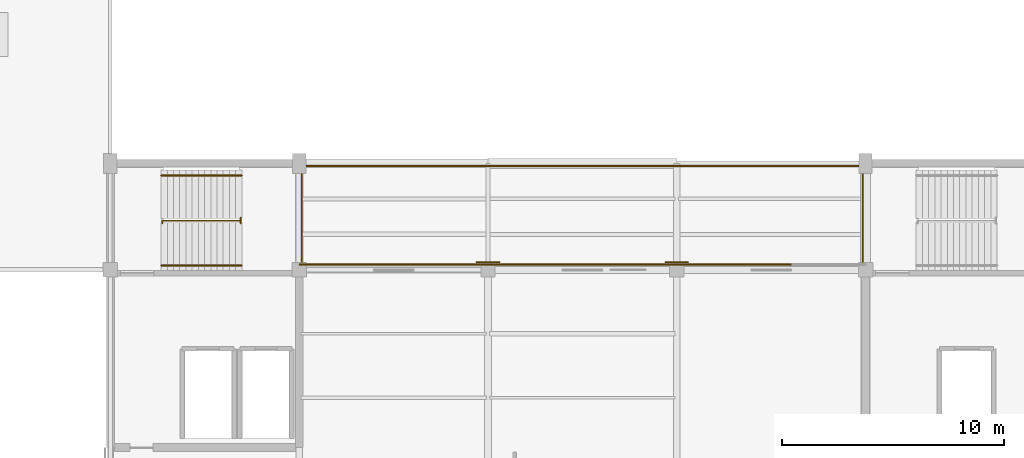
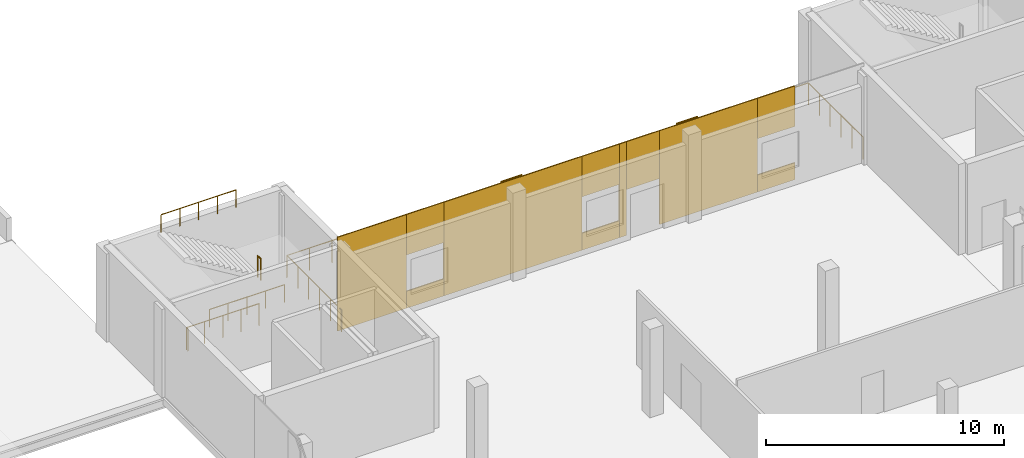
# One storey, part 60 of 66: 13 coverings, 5 railings.
"""IFC4 building model written with IfcOpenShell, lengths in metres."""

from ifc_helpers import new_model, si_unit, direction, frame, origin, origin_2d, place, context, subcontext, project, spatial, rectangle, circle, extrude, material, layer, layer_set, type_object, element, save


model = new_model("IFC4")

# Units and contexts
model_context = context("Model", 3, precision=1e-05, world=origin(), true_north=direction((0.0, 1.0)))
body_context = subcontext(model_context, "Body", "Model", "MODEL_VIEW")
ifc_project = project(units=[si_unit("LENGTHUNIT", "METRE"), si_unit("AREAUNIT", "SQUARE_METRE"), si_unit("VOLUMEUNIT", "CUBIC_METRE"), si_unit("PLANEANGLEUNIT", "RADIAN"), si_unit("MASSUNIT", "GRAM", prefix="KILO")], contexts=[model_context])

# Site, building, storey
site_placement = place(None, origin())
site = spatial("IfcSite", under=ifc_project, at=site_placement, CompositionType="ELEMENT")
building_placement = place(site_placement, origin())
building = spatial("IfcBuilding", under=site, at=building_placement, Name="Solvikara Media Centre", CompositionType="ELEMENT")
storey_placement = place(building_placement, frame((0.0, 0.0, 19.800048828125)))
storey = spatial("IfcBuildingStorey", under=building, at=storey_placement, Name="L04", CompositionType="ELEMENT", Elevation=19.800048828125)

# Coverings
ifc_material_1 = material(Name="GFRC white mineral architectural rainscreen panel")
ifc_layer = layer(ifc_material_1, 0.050048828125)
ifc_layer_set = layer_set([ifc_layer], Name="GFRC white mineral architectural rainscreen panel")
covering_type = type_object("IfcCoveringType", Name="CV-04", PredefinedType="CLADDING", material=ifc_layer_set)
for number, where, z_axis, x_axis, name in (
    (1, (51.0, 32.35009765625, 0.0), (0.0, 0.0, 1.0), (-1.0, 0.0, 0.0), "PIL-L04-121"),
    (2, (59.5, 32.35009765625, 0.0), (0.0, 0.0, 1.0), (-1.0, 0.0, 0.0), "PIL-L04-133"),
):
    element("IfcCovering", number, at=place(storey_placement, frame(where, z_axis=z_axis, x_axis=x_axis)), inside=storey, type_object=covering_type, Name=name, PredefinedType="CLADDING", context=body_context, shape_type="SweptSolid", body=[
        extrude(rectangle(XDim=1.0400390625, YDim=0.050048828125, at=origin_2d()), origin(), (0.0, 0.0, 1.0), 4.800048828125),
    ])
covering_1_placement = place(storey_placement, frame((44.175048828125, 32.2451171875, 0.0), z_axis=(0.0, 0.0, 1.0), x_axis=(1.0, 0.0, 0.0)))
element("IfcCovering", 3, at=covering_1_placement, inside=storey, type_object=covering_type, Name="L04-V6N-CV-F01", PredefinedType="CLADDING", context=body_context, shape_type="SweptSolid", body=[
    extrude(rectangle(XDim=3.35009765625, YDim=0.050048828125, at=origin_2d()), origin(), (0.0, 0.0, 1.0), 4.800048828125),
])
covering_2_placement = place(storey_placement, frame((46.75, 32.2451171875, 0.0), z_axis=(0.0, 0.0, 1.0), x_axis=(1.0, 0.0, 0.0)))
element("IfcCovering", 4, at=covering_2_placement, inside=storey, type_object=covering_type, Name="L04-V6N-CV-S02", PredefinedType="CLADDING", context=body_context, shape_type="SweptSolid", body=[
    extrude(rectangle(XDim=1.800048828125, YDim=0.050048828125, at=origin_2d()), origin(), (0.0, 0.0, 1.0), 0.8701171875),
])
covering_3_placement = place(storey_placement, frame((46.75, 32.2451171875, 2.72998046875), z_axis=(0.0, 0.0, 1.0), x_axis=(1.0, 0.0, 0.0)))
element("IfcCovering", 5, at=covering_3_placement, inside=storey, type_object=covering_type, Name="L04-V6N-CV-H02", PredefinedType="CLADDING", context=body_context, shape_type="SweptSolid", body=[
    extrude(rectangle(XDim=1.800048828125, YDim=0.050048828125, at=origin_2d()), origin(), (0.0, 0.0, 1.0), 2.070068359375),
])
covering_4_placement = place(storey_placement, frame((51.0, 32.2451171875, 0.0), z_axis=(0.0, 0.0, 1.0), x_axis=(1.0, 0.0, 0.0)))
element("IfcCovering", 6, at=covering_4_placement, inside=storey, type_object=covering_type, Name="L04-V6N-CV-F03", PredefinedType="CLADDING", context=body_context, shape_type="SweptSolid", body=[
    extrude(rectangle(XDim=6.699951171875, YDim=0.050048828125, at=origin_2d()), origin(), (0.0, 0.0, 1.0), 4.800048828125),
])
covering_5_placement = place(storey_placement, frame((55.25, 32.2451171875, 0.0), z_axis=(0.0, 0.0, 1.0), x_axis=(1.0, 0.0, 0.0)))
element("IfcCovering", 7, at=covering_5_placement, inside=storey, type_object=covering_type, Name="L04-V6N-CV-S04", PredefinedType="CLADDING", context=body_context, shape_type="SweptSolid", body=[
    extrude(rectangle(XDim=1.800048828125, YDim=0.050048828125, at=origin_2d()), origin(), (0.0, 0.0, 1.0), 0.8701171875),
])
covering_6_placement = place(storey_placement, frame((55.25, 32.2451171875, 2.72998046875), z_axis=(0.0, 0.0, 1.0), x_axis=(1.0, 0.0, 0.0)))
element("IfcCovering", 8, at=covering_6_placement, inside=storey, type_object=covering_type, Name="L04-V6N-CV-H04", PredefinedType="CLADDING", context=body_context, shape_type="SweptSolid", body=[
    extrude(rectangle(XDim=1.800048828125, YDim=0.050048828125, at=origin_2d()), origin(), (0.0, 0.0, 1.0), 2.070068359375),
])
covering_7_placement = place(storey_placement, frame((56.324951171875, 32.2451171875, 0.0), z_axis=(0.0, 0.0, 1.0), x_axis=(1.0, 0.0, 0.0)))
element("IfcCovering", 9, at=covering_7_placement, inside=storey, type_object=covering_type, Name="L04-V6N-CV-F05", PredefinedType="CLADDING", context=body_context, shape_type="SweptSolid", body=[
    extrude(rectangle(XDim=0.35009765625, YDim=0.050048828125, at=origin_2d()), origin(), (0.0, 0.0, 1.0), 4.800048828125),
])
covering_8_placement = place(storey_placement, frame((57.300048828125, 32.2451171875, 2.35009765625), z_axis=(0.0, 0.0, 1.0), x_axis=(1.0, 0.0, 0.0)))
element("IfcCovering", 10, at=covering_8_placement, inside=storey, type_object=covering_type, Name="L04-V6N-CV-D06", PredefinedType="CLADDING", context=body_context, shape_type="SweptSolid", body=[
    extrude(rectangle(XDim=1.60009765625, YDim=0.050048828125, at=origin_2d()), origin(), (0.0, 0.0, 1.0), 2.449951171875),
])
covering_9_placement = place(storey_placement, frame((60.47509765625, 32.2451171875, 0.0), z_axis=(0.0, 0.0, 1.0), x_axis=(1.0, 0.0, 0.0)))
element("IfcCovering", 11, at=covering_9_placement, inside=storey, type_object=covering_type, Name="L04-V6N-CV-F07", PredefinedType="CLADDING", context=body_context, shape_type="SweptSolid", body=[
    extrude(rectangle(XDim=4.75, YDim=0.050048828125, at=origin_2d()), origin(), (0.0, 0.0, 1.0), 4.800048828125),
])
covering_10_placement = place(storey_placement, frame((63.75, 32.2451171875, 0.0), z_axis=(0.0, 0.0, 1.0), x_axis=(1.0, 0.0, 0.0)))
element("IfcCovering", 12, at=covering_10_placement, inside=storey, type_object=covering_type, Name="L04-V6N-CV-S08", PredefinedType="CLADDING", context=body_context, shape_type="SweptSolid", body=[
    extrude(rectangle(XDim=1.800048828125, YDim=0.050048828125, at=origin_2d()), origin(), (0.0, 0.0, 1.0), 0.8701171875),
])
covering_11_placement = place(storey_placement, frame((63.75, 32.2451171875, 2.72998046875), z_axis=(0.0, 0.0, 1.0), x_axis=(1.0, 0.0, 0.0)))
element("IfcCovering", 13, at=covering_11_placement, inside=storey, type_object=covering_type, Name="L04-V6N-CV-H08", PredefinedType="CLADDING", context=body_context, shape_type="SweptSolid", body=[
    extrude(rectangle(XDim=1.800048828125, YDim=0.050048828125, at=origin_2d()), origin(), (0.0, 0.0, 1.0), 2.070068359375),
])

# Railings
ifc_material_2 = material(Name="Steel S355JR", Category="steel")
railing_type_1 = type_object("IfcRailingType", Name="GR-01", PredefinedType="GUARDRAIL", material=ifc_material_2)
railing_1_placement = place(storey_placement, frame((42.6201171875, 32.10009765625, 0.0)))
element("IfcRailing", 14, at=railing_1_placement, inside=storey, type_object=railing_type_1, Name="GR-TER-L04N", PredefinedType="GUARDRAIL", context=body_context, shape_type="SweptSolid", body=[
    extrude(circle(Radius=0.02392578125, at=origin_2d()), frame((0.0, 0.0, 1.1259765625), z_axis=(0.0, 1.0, 0.0), x_axis=(-1.0, 0.0, 0.0)), (0.0, 0.0, 1.0), 4.579833984375),
    extrude(circle(Radius=0.02392578125, at=origin_2d()), frame((0.0, 4.579833984375, 1.1259765625), z_axis=(1.0, 0.0, 0.0), x_axis=(0.0, 1.0, 0.0)), (0.0, 0.0, 1.0), 25.259765625),
    extrude(circle(Radius=0.02392578125, at=origin_2d()), frame((25.259765625, 4.579833984375, 1.1259765625), z_axis=(0.0, -1.0, 0.0), x_axis=(1.0, 0.0, 0.0)), (0.0, 0.0, 1.0), 4.579833984375),
    extrude(circle(Radius=0.02099609375, at=origin_2d()), origin(), (0.0, 0.0, 1.0), 1.101806640625),
    extrude(circle(Radius=0.02099609375, at=origin_2d()), frame((0.0, 0.916015625, 0.0)), (0.0, 0.0, 1.0), 1.101806640625),
    extrude(circle(Radius=0.02099609375, at=origin_2d()), frame((0.0, 1.83203125, 0.0)), (0.0, 0.0, 1.0), 1.101806640625),
    extrude(circle(Radius=0.02099609375, at=origin_2d()), frame((0.0, 2.747802734375, 0.0)), (0.0, 0.0, 1.0), 1.101806640625),
    extrude(circle(Radius=0.02099609375, at=origin_2d()), frame((0.0, 3.663818359375, 0.0)), (0.0, 0.0, 1.0), 1.101806640625),
    extrude(circle(Radius=0.02099609375, at=origin_2d()), frame((0.0, 4.579833984375, 0.0)), (0.0, 0.0, 1.0), 1.101806640625),
    extrude(circle(Radius=0.02099609375, at=origin_2d()), frame((1.09814453125, 4.579833984375, 0.0)), (0.0, 0.0, 1.0), 1.101806640625),
    extrude(circle(Radius=0.02099609375, at=origin_2d()), frame((2.196533203125, 4.579833984375, 0.0)), (0.0, 0.0, 1.0), 1.101806640625),
    extrude(circle(Radius=0.02099609375, at=origin_2d()), frame((3.294677734375, 4.579833984375, 0.0)), (0.0, 0.0, 1.0), 1.101806640625),
    extrude(circle(Radius=0.02099609375, at=origin_2d()), frame((4.39306640625, 4.579833984375, 0.0)), (0.0, 0.0, 1.0), 1.101806640625),
    extrude(circle(Radius=0.02099609375, at=origin_2d()), frame((5.4912109375, 4.579833984375, 0.0)), (0.0, 0.0, 1.0), 1.101806640625),
    extrude(circle(Radius=0.02099609375, at=origin_2d()), frame((6.589599609375, 4.579833984375, 0.0)), (0.0, 0.0, 1.0), 1.101806640625),
    extrude(circle(Radius=0.02099609375, at=origin_2d()), frame((7.687744140625, 4.579833984375, 0.0)), (0.0, 0.0, 1.0), 1.101806640625),
    extrude(circle(Radius=0.02099609375, at=origin_2d()), frame((8.785888671875, 4.579833984375, 0.0)), (0.0, 0.0, 1.0), 1.101806640625),
    extrude(circle(Radius=0.02099609375, at=origin_2d()), frame((9.88427734375, 4.579833984375, 0.0)), (0.0, 0.0, 1.0), 1.101806640625),
    extrude(circle(Radius=0.02099609375, at=origin_2d()), frame((10.982421875, 4.579833984375, 0.0)), (0.0, 0.0, 1.0), 1.101806640625),
    extrude(circle(Radius=0.02099609375, at=origin_2d()), frame((12.080810546875, 4.579833984375, 0.0)), (0.0, 0.0, 1.0), 1.101806640625),
    extrude(circle(Radius=0.02099609375, at=origin_2d()), frame((13.178955078125, 4.579833984375, 0.0)), (0.0, 0.0, 1.0), 1.101806640625),
    extrude(circle(Radius=0.02099609375, at=origin_2d()), frame((14.27734375, 4.579833984375, 0.0)), (0.0, 0.0, 1.0), 1.101806640625),
    extrude(circle(Radius=0.02099609375, at=origin_2d()), frame((15.37548828125, 4.579833984375, 0.0)), (0.0, 0.0, 1.0), 1.101806640625),
    extrude(circle(Radius=0.02099609375, at=origin_2d()), frame((16.473876953125, 4.579833984375, 0.0)), (0.0, 0.0, 1.0), 1.101806640625),
    extrude(circle(Radius=0.02099609375, at=origin_2d()), frame((17.572021484375, 4.579833984375, 0.0)), (0.0, 0.0, 1.0), 1.101806640625),
    extrude(circle(Radius=0.02099609375, at=origin_2d()), frame((18.670166015625, 4.579833984375, 0.0)), (0.0, 0.0, 1.0), 1.101806640625),
    extrude(circle(Radius=0.02099609375, at=origin_2d()), frame((19.7685546875, 4.579833984375, 0.0)), (0.0, 0.0, 1.0), 1.101806640625),
    extrude(circle(Radius=0.02099609375, at=origin_2d()), frame((20.86669921875, 4.579833984375, 0.0)), (0.0, 0.0, 1.0), 1.101806640625),
    extrude(circle(Radius=0.02099609375, at=origin_2d()), frame((21.965087890625, 4.579833984375, 0.0)), (0.0, 0.0, 1.0), 1.101806640625),
    extrude(circle(Radius=0.02099609375, at=origin_2d()), frame((23.063232421875, 4.579833984375, 0.0)), (0.0, 0.0, 1.0), 1.101806640625),
    extrude(circle(Radius=0.02099609375, at=origin_2d()), frame((24.16162109375, 4.579833984375, 0.0)), (0.0, 0.0, 1.0), 1.101806640625),
    extrude(circle(Radius=0.02099609375, at=origin_2d()), frame((25.259765625, 4.579833984375, 0.0)), (0.0, 0.0, 1.0), 1.101806640625),
    extrude(circle(Radius=0.02099609375, at=origin_2d()), frame((25.259765625, 3.663818359375, 0.0)), (0.0, 0.0, 1.0), 1.101806640625),
    extrude(circle(Radius=0.02099609375, at=origin_2d()), frame((25.259765625, 2.747802734375, 0.0)), (0.0, 0.0, 1.0), 1.101806640625),
    extrude(circle(Radius=0.02099609375, at=origin_2d()), frame((25.259765625, 1.83203125, 0.0)), (0.0, 0.0, 1.0), 1.101806640625),
    extrude(circle(Radius=0.02099609375, at=origin_2d()), frame((25.259765625, 0.916015625, 0.0)), (0.0, 0.0, 1.0), 1.101806640625),
    extrude(circle(Radius=0.02099609375, at=origin_2d()), frame((25.259765625, 0.0, 0.0)), (0.0, 0.0, 1.0), 1.101806640625),
])
railing_2_placement = place(storey_placement, frame((36.340087890625, 34.10009765625, 0.0)))
element("IfcRailing", 15, at=railing_2_placement, inside=storey, type_object=railing_type_1, Name="GR-C2-L03-W", PredefinedType="GUARDRAIL", context=body_context, shape_type="SweptSolid", body=[
    extrude(circle(Radius=0.02392578125, at=origin_2d()), frame((0.0, 0.0, 1.1259765625), z_axis=(0.0, 1.0, 0.0), x_axis=(-1.0, 0.0, 0.0)), (0.0, 0.0, 1.0), 0.119873046875),
    extrude(circle(Radius=0.02392578125, at=origin_2d()), frame((0.0, 0.119873046875, 1.1259765625), z_axis=(1.0, 0.0, 0.0), x_axis=(0.0, 1.0, 0.0)), (0.0, 0.0, 1.0), 3.52001953125),
    extrude(circle(Radius=0.02099609375, at=origin_2d()), origin(), (0.0, 0.0, 1.0), 1.101806640625),
    extrude(circle(Radius=0.02099609375, at=origin_2d()), frame((0.0, 0.119873046875, 0.0)), (0.0, 0.0, 1.0), 1.101806640625),
    extrude(circle(Radius=0.02099609375, at=origin_2d()), frame((0.8798828125, 0.119873046875, 0.0)), (0.0, 0.0, 1.0), 1.101806640625),
    extrude(circle(Radius=0.02099609375, at=origin_2d()), frame((1.760009765625, 0.119873046875, 0.0)), (0.0, 0.0, 1.0), 1.101806640625),
    extrude(circle(Radius=0.02099609375, at=origin_2d()), frame((2.64013671875, 0.119873046875, 0.0)), (0.0, 0.0, 1.0), 1.101806640625),
    extrude(circle(Radius=0.02099609375, at=origin_2d()), frame((3.52001953125, 0.119873046875, 0.0)), (0.0, 0.0, 1.0), 1.101806640625),
])
railing_type_2 = type_object("IfcRailingType", Name="GR-02", PredefinedType="BALUSTRADE", material=ifc_material_2)
railing_3_placement = place(storey_placement, frame((39.860107421875, 34.10009765625, 2.39990234375)))
element("IfcRailing", 16, at=railing_3_placement, inside=storey, type_object=railing_type_2, Name="GR-C2-L04-M", PredefinedType="BALUSTRADE", context=body_context, shape_type="SweptSolid", body=[
    extrude(circle(Radius=0.02392578125, at=origin_2d()), frame((0.0, 0.0, 1.09619140625), z_axis=(0.0, 1.0, 0.0), x_axis=(-1.0, 0.0, 0.0)), (0.0, 0.0, 1.0), 0.25),
    extrude(circle(Radius=0.02099609375, at=origin_2d()), origin(), (0.0, 0.0, 1.0), 1.072021484375),
    extrude(circle(Radius=0.02099609375, at=origin_2d()), frame((0.0, 0.25, 0.0)), (0.0, 0.0, 1.0), 1.072021484375),
])
railing_type_3 = type_object("IfcRailingType", Name="HR-01", PredefinedType="HANDRAIL", material=ifc_material_2)
railing_4_placement = place(storey_placement, frame((36.280029296875, 32.199951171875, 2.39990234375)))
element("IfcRailing", 17, at=railing_4_placement, inside=storey, type_object=railing_type_3, Name="HR-C2-L04-1", PredefinedType="HANDRAIL", context=body_context, shape_type="SweptSolid", body=[
    extrude(circle(Radius=0.02392578125, at=origin_2d()), frame((0.0, 0.0, 0.89599609375), z_axis=(1.0, 0.0, 0.0), x_axis=(0.0, 1.0, 0.0)), (0.0, 0.0, 1.0), 3.639892578125),
    extrude(circle(Radius=0.02099609375, at=origin_2d()), origin(), (0.0, 0.0, 1.0), 0.871826171875),
    extrude(circle(Radius=0.02099609375, at=origin_2d()), frame((0.909912109375, 0.0, 0.0)), (0.0, 0.0, 1.0), 0.871826171875),
    extrude(circle(Radius=0.02099609375, at=origin_2d()), frame((1.81982421875, 0.0, 0.0)), (0.0, 0.0, 1.0), 0.871826171875),
    extrude(circle(Radius=0.02099609375, at=origin_2d()), frame((2.72998046875, 0.0, 0.0)), (0.0, 0.0, 1.0), 0.871826171875),
    extrude(circle(Radius=0.02099609375, at=origin_2d()), frame((3.639892578125, 0.0, 0.0)), (0.0, 0.0, 1.0), 0.871826171875),
])
railing_5_placement = place(storey_placement, frame((39.919921875, 36.25, 4.800048828125)))
element("IfcRailing", 18, at=railing_5_placement, inside=storey, type_object=railing_type_3, Name="HR-C2-L04-2", PredefinedType="HANDRAIL", context=body_context, shape_type="SweptSolid", body=[
    extrude(circle(Radius=0.02392578125, at=origin_2d()), frame((0.0, 0.0, 0.89599609375), z_axis=(-1.0, 0.0, 0.0), x_axis=(0.0, -1.0, 0.0)), (0.0, 0.0, 1.0), 3.639892578125),
    extrude(circle(Radius=0.02099609375, at=origin_2d()), origin(), (0.0, 0.0, 1.0), 0.871826171875),
    extrude(circle(Radius=0.02099609375, at=origin_2d()), frame((-0.909912109375, 0.0, 0.0)), (0.0, 0.0, 1.0), 0.871826171875),
    extrude(circle(Radius=0.02099609375, at=origin_2d()), frame((-1.81982421875, 0.0, 0.0)), (0.0, 0.0, 1.0), 0.871826171875),
    extrude(circle(Radius=0.02099609375, at=origin_2d()), frame((-2.72998046875, 0.0, 0.0)), (0.0, 0.0, 1.0), 0.871826171875),
    extrude(circle(Radius=0.02099609375, at=origin_2d()), frame((-3.639892578125, 0.0, 0.0)), (0.0, 0.0, 1.0), 0.871826171875),
])

save(model, "model.ifc")
